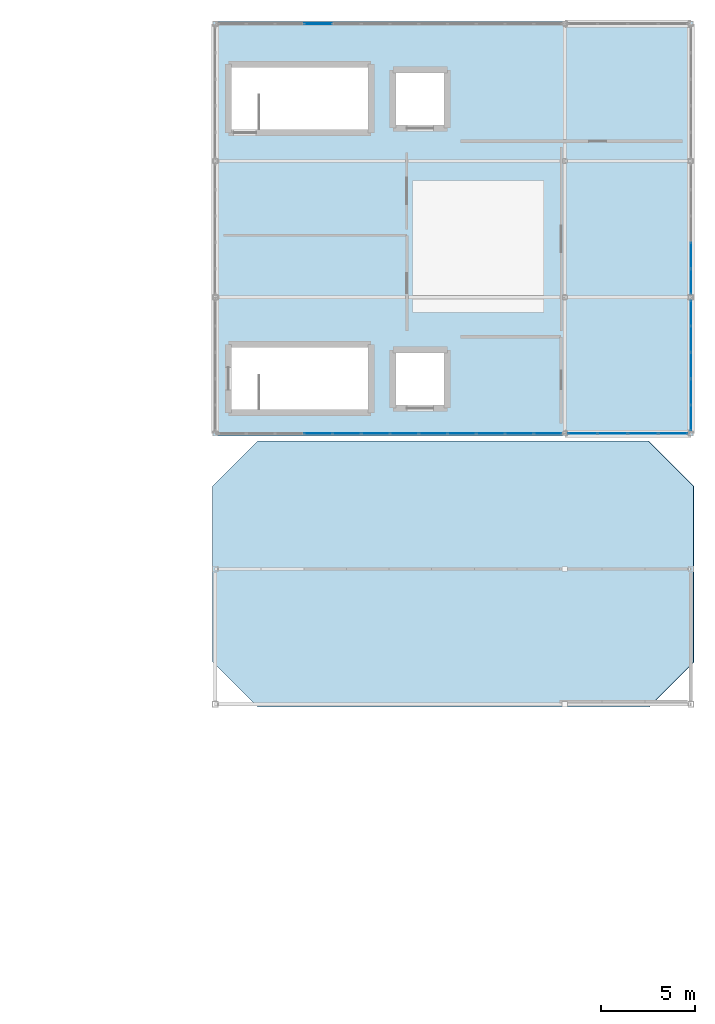
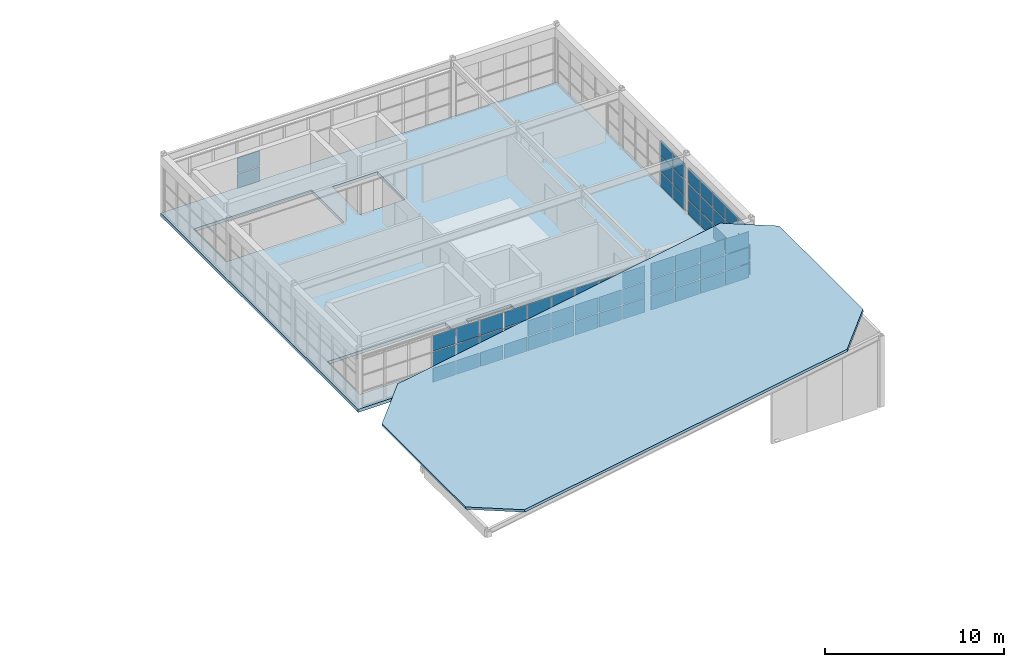
# One storey, part 15 of 19: 62 plates, 2 slabs, 5 elements without a shape of their own.
"""IFC4 building model written with IfcOpenShell, lengths in metres."""

from ifc_helpers import new_model, si_unit, direction, frame, origin, origin_2d, place, context, subcontext, project, spatial, polyline, rectangle, outline, extrude, material, layer, layer_set, type_object, element, aggregate, save


model = new_model("IFC4")

# Units and contexts
model_context = context("Model", 3, precision=1e-05, world=origin(), true_north=direction((0.0, 1.0)))
body_context = subcontext(model_context, "Body", "Model", "MODEL_VIEW")
ifc_project = project(units=[si_unit("LENGTHUNIT", "METRE"), si_unit("AREAUNIT", "SQUARE_METRE"), si_unit("VOLUMEUNIT", "CUBIC_METRE"), si_unit("PLANEANGLEUNIT", "RADIAN"), si_unit("MASSUNIT", "GRAM", prefix="KILO")], contexts=[model_context])

# Site, building, storey
site_placement = place(None, origin())
site = spatial("IfcSite", under=ifc_project, at=site_placement, CompositionType="ELEMENT")
building_placement = place(site_placement, origin())
building = spatial("IfcBuilding", under=site, at=building_placement, Name="Candilejo Ridge Gondola Terminal", CompositionType="ELEMENT")
storey_placement = place(building_placement, frame((0.0, 0.0, 22.800048828125)))
storey = spatial("IfcBuildingStorey", under=building, at=storey_placement, Name="L05", CompositionType="ELEMENT", Elevation=22.800048828125)

# Curtain wall, plates
ifc_material_1 = material(Name="Anodised aluminium AA 6063-T6", Category="aluminium")
ifc_layer_1 = layer(ifc_material_1, 0.169921875)
ifc_layer_set_1 = layer_set([ifc_layer_1], Name="ARC-CW-TOWER-3000-700X329")
curtain_wall_type_1 = type_object("IfcCurtainWallType", Name="ARC-CW-TOWER-3000-700X329", PredefinedType="NOTDEFINED", material=ifc_layer_set_1)
curtain_wall_1_placement = place(storey_placement, origin())
curtain_wall_1 = element("IfcCurtainWall", 1, at=curtain_wall_1_placement, inside=storey, type_object=curtain_wall_type_1, Name="Curtain wall V5 L05-227", PredefinedType="NOTDEFINED")
ifc_material_2 = material(Name="Low-E laminated double glazing 6+12A+6+1.52PVB+6 mm", Category="glass")
ifc_layer_2 = layer(ifc_material_2, 0.028076171875)
ifc_layer_set_2 = layer_set([ifc_layer_2], Name="ARC-CW-GLAZ-PANEL")
plate_type = type_object("IfcPlateType", Name="ARC-CW-GLAZ-PANEL", PredefinedType="CURTAIN_PANEL", material=ifc_layer_set_2)
plate_1_placement = place(storey_placement, frame((175.300048828125, 99.891357421875, 0.06005859375), z_axis=(0.0, 0.0, 1.0), x_axis=(0.0, 1.0, 0.0)))
plate_1 = element("IfcPlate", 2, at=plate_1_placement, type_object=plate_type, Name="CW-70X32 panel 1.1", PredefinedType="CURTAIN_PANEL", context=body_context, shape_type="SweptSolid", body=[
    extrude(rectangle(XDim=1.302490234375, YDim=0.028076171875, at=origin_2d()), origin(), (0.0, 0.0, 1.0), 0.9599609375),
])
plate_2_placement = place(storey_placement, frame((175.300048828125, 99.891357421875, 1.079833984375), z_axis=(0.0, 0.0, 1.0), x_axis=(0.0, 1.0, 0.0)))
plate_2 = element("IfcPlate", 3, at=plate_2_placement, type_object=plate_type, Name="CW-70X32 panel 1.2", PredefinedType="CURTAIN_PANEL", context=body_context, shape_type="SweptSolid", body=[
    extrude(rectangle(XDim=1.302490234375, YDim=0.028076171875, at=origin_2d()), origin(), (0.0, 0.0, 1.0), 1.0400390625),
])
plate_3_placement = place(storey_placement, frame((175.300048828125, 99.891357421875, 2.1796875), z_axis=(0.0, 0.0, 1.0), x_axis=(0.0, 1.0, 0.0)))
plate_3 = element("IfcPlate", 4, at=plate_3_placement, type_object=plate_type, Name="CW-70X32 panel 1.3", PredefinedType="CURTAIN_PANEL", context=body_context, shape_type="SweptSolid", body=[
    extrude(rectangle(XDim=1.302490234375, YDim=0.028076171875, at=origin_2d()), origin(), (0.0, 0.0, 1.0), 1.050048828125),
])
plate_4_placement = place(storey_placement, frame((175.300048828125, 101.27490234375, 0.06005859375), z_axis=(0.0, 0.0, 1.0), x_axis=(0.0, 1.0, 0.0)))
plate_4 = element("IfcPlate", 5, at=plate_4_placement, type_object=plate_type, Name="CW-70X32 panel 2.1", PredefinedType="CURTAIN_PANEL", context=body_context, shape_type="SweptSolid", body=[
    extrude(rectangle(XDim=1.3349609375, YDim=0.028076171875, at=origin_2d()), origin(), (0.0, 0.0, 1.0), 0.9599609375),
])
plate_5_placement = place(storey_placement, frame((175.300048828125, 101.27490234375, 1.079833984375), z_axis=(0.0, 0.0, 1.0), x_axis=(0.0, 1.0, 0.0)))
plate_5 = element("IfcPlate", 6, at=plate_5_placement, type_object=plate_type, Name="CW-70X32 panel 2.2", PredefinedType="CURTAIN_PANEL", context=body_context, shape_type="SweptSolid", body=[
    extrude(rectangle(XDim=1.3349609375, YDim=0.028076171875, at=origin_2d()), origin(), (0.0, 0.0, 1.0), 1.0400390625),
])
plate_6_placement = place(storey_placement, frame((175.300048828125, 101.27490234375, 2.1796875), z_axis=(0.0, 0.0, 1.0), x_axis=(0.0, 1.0, 0.0)))
plate_6 = element("IfcPlate", 7, at=plate_6_placement, type_object=plate_type, Name="CW-70X32 panel 2.3", PredefinedType="CURTAIN_PANEL", context=body_context, shape_type="SweptSolid", body=[
    extrude(rectangle(XDim=1.3349609375, YDim=0.028076171875, at=origin_2d()), origin(), (0.0, 0.0, 1.0), 1.050048828125),
])
plate_7_placement = place(storey_placement, frame((175.300048828125, 102.675048828125, 0.06005859375), z_axis=(0.0, 0.0, 1.0), x_axis=(0.0, 1.0, 0.0)))
plate_7 = element("IfcPlate", 8, at=plate_7_placement, type_object=plate_type, Name="CW-70X32 panel 3.1", PredefinedType="CURTAIN_PANEL", context=body_context, shape_type="SweptSolid", body=[
    extrude(rectangle(XDim=1.3349609375, YDim=0.028076171875, at=origin_2d()), origin(), (0.0, 0.0, 1.0), 0.9599609375),
])
plate_8_placement = place(storey_placement, frame((175.300048828125, 102.675048828125, 1.079833984375), z_axis=(0.0, 0.0, 1.0), x_axis=(0.0, 1.0, 0.0)))
plate_8 = element("IfcPlate", 9, at=plate_8_placement, type_object=plate_type, Name="CW-70X32 panel 3.2", PredefinedType="CURTAIN_PANEL", context=body_context, shape_type="SweptSolid", body=[
    extrude(rectangle(XDim=1.3349609375, YDim=0.028076171875, at=origin_2d()), origin(), (0.0, 0.0, 1.0), 1.0400390625),
])
plate_9_placement = place(storey_placement, frame((175.300048828125, 102.675048828125, 2.1796875), z_axis=(0.0, 0.0, 1.0), x_axis=(0.0, 1.0, 0.0)))
plate_9 = element("IfcPlate", 10, at=plate_9_placement, type_object=plate_type, Name="CW-70X32 panel 3.3", PredefinedType="CURTAIN_PANEL", context=body_context, shape_type="SweptSolid", body=[
    extrude(rectangle(XDim=1.3349609375, YDim=0.028076171875, at=origin_2d()), origin(), (0.0, 0.0, 1.0), 1.050048828125),
])
plate_10_placement = place(storey_placement, frame((175.300048828125, 104.074951171875, 0.06005859375), z_axis=(0.0, 0.0, 1.0), x_axis=(0.0, 1.0, 0.0)))
plate_10 = element("IfcPlate", 11, at=plate_10_placement, type_object=plate_type, Name="CW-70X32 panel 4.1", PredefinedType="CURTAIN_PANEL", context=body_context, shape_type="SweptSolid", body=[
    extrude(rectangle(XDim=1.3349609375, YDim=0.028076171875, at=origin_2d()), origin(), (0.0, 0.0, 1.0), 0.9599609375),
])
plate_11_placement = place(storey_placement, frame((175.300048828125, 104.074951171875, 1.079833984375), z_axis=(0.0, 0.0, 1.0), x_axis=(0.0, 1.0, 0.0)))
plate_11 = element("IfcPlate", 12, at=plate_11_placement, type_object=plate_type, Name="CW-70X32 panel 4.2", PredefinedType="CURTAIN_PANEL", context=body_context, shape_type="SweptSolid", body=[
    extrude(rectangle(XDim=1.3349609375, YDim=0.028076171875, at=origin_2d()), origin(), (0.0, 0.0, 1.0), 1.0400390625),
])
plate_12_placement = place(storey_placement, frame((175.300048828125, 104.074951171875, 2.1796875), z_axis=(0.0, 0.0, 1.0), x_axis=(0.0, 1.0, 0.0)))
plate_12 = element("IfcPlate", 13, at=plate_12_placement, type_object=plate_type, Name="CW-70X32 panel 4.3", PredefinedType="CURTAIN_PANEL", context=body_context, shape_type="SweptSolid", body=[
    extrude(rectangle(XDim=1.3349609375, YDim=0.028076171875, at=origin_2d()), origin(), (0.0, 0.0, 1.0), 1.050048828125),
])
plate_13_placement = place(storey_placement, frame((175.300048828125, 105.458740234375, 0.06005859375), z_axis=(0.0, 0.0, 1.0), x_axis=(0.0, 1.0, 0.0)))
plate_13 = element("IfcPlate", 14, at=plate_13_placement, type_object=plate_type, Name="CW-70X32 panel 5.1", PredefinedType="CURTAIN_PANEL", context=body_context, shape_type="SweptSolid", body=[
    extrude(rectangle(XDim=1.302490234375, YDim=0.028076171875, at=origin_2d()), origin(), (0.0, 0.0, 1.0), 0.9599609375),
])
plate_14_placement = place(storey_placement, frame((175.300048828125, 105.458740234375, 1.079833984375), z_axis=(0.0, 0.0, 1.0), x_axis=(0.0, 1.0, 0.0)))
plate_14 = element("IfcPlate", 15, at=plate_14_placement, type_object=plate_type, Name="CW-70X32 panel 5.2", PredefinedType="CURTAIN_PANEL", context=body_context, shape_type="SweptSolid", body=[
    extrude(rectangle(XDim=1.302490234375, YDim=0.028076171875, at=origin_2d()), origin(), (0.0, 0.0, 1.0), 1.0400390625),
])
plate_15_placement = place(storey_placement, frame((175.300048828125, 105.458740234375, 2.1796875), z_axis=(0.0, 0.0, 1.0), x_axis=(0.0, 1.0, 0.0)))
plate_15 = element("IfcPlate", 16, at=plate_15_placement, type_object=plate_type, Name="CW-70X32 panel 5.3", PredefinedType="CURTAIN_PANEL", context=body_context, shape_type="SweptSolid", body=[
    extrude(rectangle(XDim=1.302490234375, YDim=0.028076171875, at=origin_2d()), origin(), (0.0, 0.0, 1.0), 1.050048828125),
])
aggregate(curtain_wall_1, [plate_1, plate_2, plate_3, plate_4, plate_5, plate_6, plate_7, plate_8, plate_9, plate_10, plate_11, plate_12, plate_13, plate_14, plate_15])

curtain_wall_2_placement = place(storey_placement, origin())
curtain_wall_2 = element("IfcCurtainWall", 17, at=curtain_wall_2_placement, inside=storey, type_object=curtain_wall_type_1, Name="Curtain wall V5 L05-229", PredefinedType="NOTDEFINED")
plate_16_placement = place(storey_placement, frame((175.300048828125, 107.141357421875, 0.06005859375), z_axis=(0.0, 0.0, 1.0), x_axis=(0.0, 1.0, 0.0)))
plate_16 = element("IfcPlate", 18, at=plate_16_placement, type_object=plate_type, Name="CW-70X32 panel 1.1", PredefinedType="CURTAIN_PANEL", context=body_context, shape_type="SweptSolid", body=[
    extrude(rectangle(XDim=1.302490234375, YDim=0.028076171875, at=origin_2d()), origin(), (0.0, 0.0, 1.0), 0.9599609375),
])
plate_17_placement = place(storey_placement, frame((175.300048828125, 107.141357421875, 1.079833984375), z_axis=(0.0, 0.0, 1.0), x_axis=(0.0, 1.0, 0.0)))
plate_17 = element("IfcPlate", 19, at=plate_17_placement, type_object=plate_type, Name="CW-70X32 panel 1.2", PredefinedType="CURTAIN_PANEL", context=body_context, shape_type="SweptSolid", body=[
    extrude(rectangle(XDim=1.302490234375, YDim=0.028076171875, at=origin_2d()), origin(), (0.0, 0.0, 1.0), 1.0400390625),
])
plate_18_placement = place(storey_placement, frame((175.300048828125, 107.141357421875, 2.1796875), z_axis=(0.0, 0.0, 1.0), x_axis=(0.0, 1.0, 0.0)))
plate_18 = element("IfcPlate", 20, at=plate_18_placement, type_object=plate_type, Name="CW-70X32 panel 1.3", PredefinedType="CURTAIN_PANEL", context=body_context, shape_type="SweptSolid", body=[
    extrude(rectangle(XDim=1.302490234375, YDim=0.028076171875, at=origin_2d()), origin(), (0.0, 0.0, 1.0), 1.050048828125),
])
plate_19_placement = place(storey_placement, frame((175.300048828125, 108.52490234375, 0.06005859375), z_axis=(0.0, 0.0, 1.0), x_axis=(0.0, 1.0, 0.0)))
plate_19 = element("IfcPlate", 21, at=plate_19_placement, type_object=plate_type, Name="CW-70X32 panel 2.1", PredefinedType="CURTAIN_PANEL", context=body_context, shape_type="SweptSolid", body=[
    extrude(rectangle(XDim=1.3349609375, YDim=0.028076171875, at=origin_2d()), origin(), (0.0, 0.0, 1.0), 0.9599609375),
])
plate_20_placement = place(storey_placement, frame((175.300048828125, 108.52490234375, 1.079833984375), z_axis=(0.0, 0.0, 1.0), x_axis=(0.0, 1.0, 0.0)))
plate_20 = element("IfcPlate", 22, at=plate_20_placement, type_object=plate_type, Name="CW-70X32 panel 2.2", PredefinedType="CURTAIN_PANEL", context=body_context, shape_type="SweptSolid", body=[
    extrude(rectangle(XDim=1.3349609375, YDim=0.028076171875, at=origin_2d()), origin(), (0.0, 0.0, 1.0), 1.0400390625),
])
plate_21_placement = place(storey_placement, frame((175.300048828125, 108.52490234375, 2.1796875), z_axis=(0.0, 0.0, 1.0), x_axis=(0.0, 1.0, 0.0)))
plate_21 = element("IfcPlate", 23, at=plate_21_placement, type_object=plate_type, Name="CW-70X32 panel 2.3", PredefinedType="CURTAIN_PANEL", context=body_context, shape_type="SweptSolid", body=[
    extrude(rectangle(XDim=1.3349609375, YDim=0.028076171875, at=origin_2d()), origin(), (0.0, 0.0, 1.0), 1.050048828125),
])
aggregate(curtain_wall_2, [plate_16, plate_17, plate_18, plate_19, plate_20, plate_21])

ifc_material_3 = material(Name="Anodised aluminium AA 6063-T6", Category="aluminium")
ifc_layer_3 = layer(ifc_material_3, 0.169921875)
ifc_layer_set_3 = layer_set([ifc_layer_3], Name="ARC-CW-TOWER-3000-1835X329")
curtain_wall_type_2 = type_object("IfcCurtainWallType", Name="ARC-CW-TOWER-3000-1835X329", PredefinedType="NOTDEFINED", material=ifc_layer_set_3)
curtain_wall_3_placement = place(storey_placement, origin())
curtain_wall_3 = element("IfcCurtainWall", 24, at=curtain_wall_3_placement, inside=storey, type_object=curtain_wall_type_2, Name="Curtain wall V5 L05-232", PredefinedType="NOTDEFINED")
plate_22_placement = place(storey_placement, frame((155.47705078125, 99.050048828125, 0.06005859375), z_axis=(0.0, 0.0, 1.0), x_axis=(1.0, 0.0, 0.0)))
plate_22 = element("IfcPlate", 25, at=plate_22_placement, type_object=plate_type, Name="CW-183X32 panel 4.1", PredefinedType="CURTAIN_PANEL", context=body_context, shape_type="SweptSolid", body=[
    extrude(rectangle(XDim=1.464111328125, YDim=0.028076171875, at=origin_2d()), origin(), (0.0, 0.0, 1.0), 0.9599609375),
])
plate_23_placement = place(storey_placement, frame((155.47705078125, 99.050048828125, 1.079833984375), z_axis=(0.0, 0.0, 1.0), x_axis=(1.0, 0.0, 0.0)))
plate_23 = element("IfcPlate", 26, at=plate_23_placement, type_object=plate_type, Name="CW-183X32 panel 4.2", PredefinedType="CURTAIN_PANEL", context=body_context, shape_type="SweptSolid", body=[
    extrude(rectangle(XDim=1.464111328125, YDim=0.028076171875, at=origin_2d()), origin(), (0.0, 0.0, 1.0), 1.0400390625),
])
plate_24_placement = place(storey_placement, frame((155.47705078125, 99.050048828125, 2.1796875), z_axis=(0.0, 0.0, 1.0), x_axis=(1.0, 0.0, 0.0)))
plate_24 = element("IfcPlate", 27, at=plate_24_placement, type_object=plate_type, Name="CW-183X32 panel 4.3", PredefinedType="CURTAIN_PANEL", context=body_context, shape_type="SweptSolid", body=[
    extrude(rectangle(XDim=1.464111328125, YDim=0.028076171875, at=origin_2d()), origin(), (0.0, 0.0, 1.0), 1.050048828125),
])
plate_25_placement = place(storey_placement, frame((157.00634765625, 99.050048828125, 0.06005859375), z_axis=(0.0, 0.0, 1.0), x_axis=(1.0, 0.0, 0.0)))
plate_25 = element("IfcPlate", 28, at=plate_25_placement, type_object=plate_type, Name="CW-183X32 panel 5.1", PredefinedType="CURTAIN_PANEL", context=body_context, shape_type="SweptSolid", body=[
    extrude(rectangle(XDim=1.464111328125, YDim=0.028076171875, at=origin_2d()), origin(), (0.0, 0.0, 1.0), 0.9599609375),
])
plate_26_placement = place(storey_placement, frame((157.00634765625, 99.050048828125, 1.079833984375), z_axis=(0.0, 0.0, 1.0), x_axis=(1.0, 0.0, 0.0)))
plate_26 = element("IfcPlate", 29, at=plate_26_placement, type_object=plate_type, Name="CW-183X32 panel 5.2", PredefinedType="CURTAIN_PANEL", context=body_context, shape_type="SweptSolid", body=[
    extrude(rectangle(XDim=1.464111328125, YDim=0.028076171875, at=origin_2d()), origin(), (0.0, 0.0, 1.0), 1.0400390625),
])
plate_27_placement = place(storey_placement, frame((157.00634765625, 99.050048828125, 2.1796875), z_axis=(0.0, 0.0, 1.0), x_axis=(1.0, 0.0, 0.0)))
plate_27 = element("IfcPlate", 30, at=plate_27_placement, type_object=plate_type, Name="CW-183X32 panel 5.3", PredefinedType="CURTAIN_PANEL", context=body_context, shape_type="SweptSolid", body=[
    extrude(rectangle(XDim=1.464111328125, YDim=0.028076171875, at=origin_2d()), origin(), (0.0, 0.0, 1.0), 1.050048828125),
])
plate_28_placement = place(storey_placement, frame((158.535400390625, 99.050048828125, 0.06005859375), z_axis=(0.0, 0.0, 1.0), x_axis=(1.0, 0.0, 0.0)))
plate_28 = element("IfcPlate", 31, at=plate_28_placement, type_object=plate_type, Name="CW-183X32 panel 6.1", PredefinedType="CURTAIN_PANEL", context=body_context, shape_type="SweptSolid", body=[
    extrude(rectangle(XDim=1.464111328125, YDim=0.028076171875, at=origin_2d()), origin(), (0.0, 0.0, 1.0), 0.9599609375),
])
plate_29_placement = place(storey_placement, frame((158.535400390625, 99.050048828125, 1.079833984375), z_axis=(0.0, 0.0, 1.0), x_axis=(1.0, 0.0, 0.0)))
plate_29 = element("IfcPlate", 32, at=plate_29_placement, type_object=plate_type, Name="CW-183X32 panel 6.2", PredefinedType="CURTAIN_PANEL", context=body_context, shape_type="SweptSolid", body=[
    extrude(rectangle(XDim=1.464111328125, YDim=0.028076171875, at=origin_2d()), origin(), (0.0, 0.0, 1.0), 1.0400390625),
])
plate_30_placement = place(storey_placement, frame((158.535400390625, 99.050048828125, 2.1796875), z_axis=(0.0, 0.0, 1.0), x_axis=(1.0, 0.0, 0.0)))
plate_30 = element("IfcPlate", 33, at=plate_30_placement, type_object=plate_type, Name="CW-183X32 panel 6.3", PredefinedType="CURTAIN_PANEL", context=body_context, shape_type="SweptSolid", body=[
    extrude(rectangle(XDim=1.464111328125, YDim=0.028076171875, at=origin_2d()), origin(), (0.0, 0.0, 1.0), 1.050048828125),
])
plate_31_placement = place(storey_placement, frame((160.064697265625, 99.050048828125, 0.06005859375), z_axis=(0.0, 0.0, 1.0), x_axis=(1.0, 0.0, 0.0)))
plate_31 = element("IfcPlate", 34, at=plate_31_placement, type_object=plate_type, Name="CW-183X32 panel 7.1", PredefinedType="CURTAIN_PANEL", context=body_context, shape_type="SweptSolid", body=[
    extrude(rectangle(XDim=1.464111328125, YDim=0.028076171875, at=origin_2d()), origin(), (0.0, 0.0, 1.0), 0.9599609375),
])
plate_32_placement = place(storey_placement, frame((160.064697265625, 99.050048828125, 1.079833984375), z_axis=(0.0, 0.0, 1.0), x_axis=(1.0, 0.0, 0.0)))
plate_32 = element("IfcPlate", 35, at=plate_32_placement, type_object=plate_type, Name="CW-183X32 panel 7.2", PredefinedType="CURTAIN_PANEL", context=body_context, shape_type="SweptSolid", body=[
    extrude(rectangle(XDim=1.464111328125, YDim=0.028076171875, at=origin_2d()), origin(), (0.0, 0.0, 1.0), 1.0400390625),
])
plate_33_placement = place(storey_placement, frame((160.064697265625, 99.050048828125, 2.1796875), z_axis=(0.0, 0.0, 1.0), x_axis=(1.0, 0.0, 0.0)))
plate_33 = element("IfcPlate", 36, at=plate_33_placement, type_object=plate_type, Name="CW-183X32 panel 7.3", PredefinedType="CURTAIN_PANEL", context=body_context, shape_type="SweptSolid", body=[
    extrude(rectangle(XDim=1.464111328125, YDim=0.028076171875, at=origin_2d()), origin(), (0.0, 0.0, 1.0), 1.050048828125),
])
plate_34_placement = place(storey_placement, frame((161.59375, 99.050048828125, 0.06005859375), z_axis=(0.0, 0.0, 1.0), x_axis=(1.0, 0.0, 0.0)))
plate_34 = element("IfcPlate", 37, at=plate_34_placement, type_object=plate_type, Name="CW-183X32 panel 8.1", PredefinedType="CURTAIN_PANEL", context=body_context, shape_type="SweptSolid", body=[
    extrude(rectangle(XDim=1.464111328125, YDim=0.028076171875, at=origin_2d()), origin(), (0.0, 0.0, 1.0), 0.9599609375),
])
plate_35_placement = place(storey_placement, frame((161.59375, 99.050048828125, 1.079833984375), z_axis=(0.0, 0.0, 1.0), x_axis=(1.0, 0.0, 0.0)))
plate_35 = element("IfcPlate", 38, at=plate_35_placement, type_object=plate_type, Name="CW-183X32 panel 8.2", PredefinedType="CURTAIN_PANEL", context=body_context, shape_type="SweptSolid", body=[
    extrude(rectangle(XDim=1.464111328125, YDim=0.028076171875, at=origin_2d()), origin(), (0.0, 0.0, 1.0), 1.0400390625),
])
plate_36_placement = place(storey_placement, frame((161.59375, 99.050048828125, 2.1796875), z_axis=(0.0, 0.0, 1.0), x_axis=(1.0, 0.0, 0.0)))
plate_36 = element("IfcPlate", 39, at=plate_36_placement, type_object=plate_type, Name="CW-183X32 panel 8.3", PredefinedType="CURTAIN_PANEL", context=body_context, shape_type="SweptSolid", body=[
    extrude(rectangle(XDim=1.464111328125, YDim=0.028076171875, at=origin_2d()), origin(), (0.0, 0.0, 1.0), 1.050048828125),
])
plate_37_placement = place(storey_placement, frame((163.122802734375, 99.050048828125, 0.06005859375), z_axis=(0.0, 0.0, 1.0), x_axis=(1.0, 0.0, 0.0)))
plate_37 = element("IfcPlate", 40, at=plate_37_placement, type_object=plate_type, Name="CW-183X32 panel 9.1", PredefinedType="CURTAIN_PANEL", context=body_context, shape_type="SweptSolid", body=[
    extrude(rectangle(XDim=1.464111328125, YDim=0.028076171875, at=origin_2d()), origin(), (0.0, 0.0, 1.0), 0.9599609375),
])
plate_38_placement = place(storey_placement, frame((163.122802734375, 99.050048828125, 1.079833984375), z_axis=(0.0, 0.0, 1.0), x_axis=(1.0, 0.0, 0.0)))
plate_38 = element("IfcPlate", 41, at=plate_38_placement, type_object=plate_type, Name="CW-183X32 panel 9.2", PredefinedType="CURTAIN_PANEL", context=body_context, shape_type="SweptSolid", body=[
    extrude(rectangle(XDim=1.464111328125, YDim=0.028076171875, at=origin_2d()), origin(), (0.0, 0.0, 1.0), 1.0400390625),
])
plate_39_placement = place(storey_placement, frame((163.122802734375, 99.050048828125, 2.1796875), z_axis=(0.0, 0.0, 1.0), x_axis=(1.0, 0.0, 0.0)))
plate_39 = element("IfcPlate", 42, at=plate_39_placement, type_object=plate_type, Name="CW-183X32 panel 9.3", PredefinedType="CURTAIN_PANEL", context=body_context, shape_type="SweptSolid", body=[
    extrude(rectangle(XDim=1.464111328125, YDim=0.028076171875, at=origin_2d()), origin(), (0.0, 0.0, 1.0), 1.050048828125),
])
plate_40_placement = place(storey_placement, frame((164.652099609375, 99.050048828125, 0.06005859375), z_axis=(0.0, 0.0, 1.0), x_axis=(1.0, 0.0, 0.0)))
plate_40 = element("IfcPlate", 43, at=plate_40_placement, type_object=plate_type, Name="CW-183X32 panel 10.1", PredefinedType="CURTAIN_PANEL", context=body_context, shape_type="SweptSolid", body=[
    extrude(rectangle(XDim=1.464111328125, YDim=0.028076171875, at=origin_2d()), origin(), (0.0, 0.0, 1.0), 0.9599609375),
])
plate_41_placement = place(storey_placement, frame((164.652099609375, 99.050048828125, 1.079833984375), z_axis=(0.0, 0.0, 1.0), x_axis=(1.0, 0.0, 0.0)))
plate_41 = element("IfcPlate", 44, at=plate_41_placement, type_object=plate_type, Name="CW-183X32 panel 10.2", PredefinedType="CURTAIN_PANEL", context=body_context, shape_type="SweptSolid", body=[
    extrude(rectangle(XDim=1.464111328125, YDim=0.028076171875, at=origin_2d()), origin(), (0.0, 0.0, 1.0), 1.0400390625),
])
plate_42_placement = place(storey_placement, frame((164.652099609375, 99.050048828125, 2.1796875), z_axis=(0.0, 0.0, 1.0), x_axis=(1.0, 0.0, 0.0)))
plate_42 = element("IfcPlate", 45, at=plate_42_placement, type_object=plate_type, Name="CW-183X32 panel 10.3", PredefinedType="CURTAIN_PANEL", context=body_context, shape_type="SweptSolid", body=[
    extrude(rectangle(XDim=1.464111328125, YDim=0.028076171875, at=origin_2d()), origin(), (0.0, 0.0, 1.0), 1.050048828125),
])
plate_43_placement = place(storey_placement, frame((166.18115234375, 99.050048828125, 0.06005859375), z_axis=(0.0, 0.0, 1.0), x_axis=(1.0, 0.0, 0.0)))
plate_43 = element("IfcPlate", 46, at=plate_43_placement, type_object=plate_type, Name="CW-183X32 panel 11.1", PredefinedType="CURTAIN_PANEL", context=body_context, shape_type="SweptSolid", body=[
    extrude(rectangle(XDim=1.464111328125, YDim=0.028076171875, at=origin_2d()), origin(), (0.0, 0.0, 1.0), 0.9599609375),
])
plate_44_placement = place(storey_placement, frame((166.18115234375, 99.050048828125, 1.079833984375), z_axis=(0.0, 0.0, 1.0), x_axis=(1.0, 0.0, 0.0)))
plate_44 = element("IfcPlate", 47, at=plate_44_placement, type_object=plate_type, Name="CW-183X32 panel 11.2", PredefinedType="CURTAIN_PANEL", context=body_context, shape_type="SweptSolid", body=[
    extrude(rectangle(XDim=1.464111328125, YDim=0.028076171875, at=origin_2d()), origin(), (0.0, 0.0, 1.0), 1.0400390625),
])
plate_45_placement = place(storey_placement, frame((166.18115234375, 99.050048828125, 2.1796875), z_axis=(0.0, 0.0, 1.0), x_axis=(1.0, 0.0, 0.0)))
plate_45 = element("IfcPlate", 48, at=plate_45_placement, type_object=plate_type, Name="CW-183X32 panel 11.3", PredefinedType="CURTAIN_PANEL", context=body_context, shape_type="SweptSolid", body=[
    extrude(rectangle(XDim=1.464111328125, YDim=0.028076171875, at=origin_2d()), origin(), (0.0, 0.0, 1.0), 1.050048828125),
])
plate_46_placement = place(storey_placement, frame((167.694091796875, 99.050048828125, 0.06005859375), z_axis=(0.0, 0.0, 1.0), x_axis=(1.0, 0.0, 0.0)))
plate_46 = element("IfcPlate", 49, at=plate_46_placement, type_object=plate_type, Name="CW-183X32 panel 12.1", PredefinedType="CURTAIN_PANEL", context=body_context, shape_type="SweptSolid", body=[
    extrude(rectangle(XDim=1.431640625, YDim=0.028076171875, at=origin_2d()), origin(), (0.0, 0.0, 1.0), 0.9599609375),
])
plate_47_placement = place(storey_placement, frame((167.694091796875, 99.050048828125, 1.079833984375), z_axis=(0.0, 0.0, 1.0), x_axis=(1.0, 0.0, 0.0)))
plate_47 = element("IfcPlate", 50, at=plate_47_placement, type_object=plate_type, Name="CW-183X32 panel 12.2", PredefinedType="CURTAIN_PANEL", context=body_context, shape_type="SweptSolid", body=[
    extrude(rectangle(XDim=1.431640625, YDim=0.028076171875, at=origin_2d()), origin(), (0.0, 0.0, 1.0), 1.0400390625),
])
plate_48_placement = place(storey_placement, frame((167.694091796875, 99.050048828125, 2.1796875), z_axis=(0.0, 0.0, 1.0), x_axis=(1.0, 0.0, 0.0)))
plate_48 = element("IfcPlate", 51, at=plate_48_placement, type_object=plate_type, Name="CW-183X32 panel 12.3", PredefinedType="CURTAIN_PANEL", context=body_context, shape_type="SweptSolid", body=[
    extrude(rectangle(XDim=1.431640625, YDim=0.028076171875, at=origin_2d()), origin(), (0.0, 0.0, 1.0), 1.050048828125),
])
aggregate(curtain_wall_3, [plate_22, plate_23, plate_24, plate_25, plate_26, plate_27, plate_28, plate_29, plate_30, plate_31, plate_32, plate_33, plate_34, plate_35, plate_36, plate_37, plate_38, plate_39, plate_40, plate_41, plate_42, plate_43, plate_44, plate_45, plate_46, plate_47, plate_48])

curtain_wall_4_placement = place(storey_placement, origin())
curtain_wall_4 = element("IfcCurtainWall", 52, at=curtain_wall_4_placement, inside=storey, type_object=curtain_wall_type_2, Name="Curtain wall V5 L05-233", PredefinedType="NOTDEFINED")
plate_49_placement = place(storey_placement, frame((155.47705078125, 120.85009765625, 0.06005859375), z_axis=(0.0, 0.0, 1.0), x_axis=(1.0, 0.0, 0.0)))
plate_49 = element("IfcPlate", 53, at=plate_49_placement, type_object=plate_type, Name="CW-183X32 panel 4.1", PredefinedType="CURTAIN_PANEL", context=body_context, shape_type="SweptSolid", body=[
    extrude(rectangle(XDim=1.464111328125, YDim=0.028076171875, at=origin_2d()), origin(), (0.0, 0.0, 1.0), 0.9599609375),
])
plate_50_placement = place(storey_placement, frame((155.47705078125, 120.85009765625, 1.079833984375), z_axis=(0.0, 0.0, 1.0), x_axis=(1.0, 0.0, 0.0)))
plate_50 = element("IfcPlate", 54, at=plate_50_placement, type_object=plate_type, Name="CW-183X32 panel 4.2", PredefinedType="CURTAIN_PANEL", context=body_context, shape_type="SweptSolid", body=[
    extrude(rectangle(XDim=1.464111328125, YDim=0.028076171875, at=origin_2d()), origin(), (0.0, 0.0, 1.0), 1.0400390625),
])
aggregate(curtain_wall_4, [plate_49, plate_50])

ifc_material_4 = material(Name="Anodised aluminium AA 6063-T6", Category="aluminium")
ifc_layer_4 = layer(ifc_material_4, 0.169921875)
ifc_layer_set_4 = layer_set([ifc_layer_4], Name="ARC-CW-TOWER-3000-645X329")
curtain_wall_type_3 = type_object("IfcCurtainWallType", Name="ARC-CW-TOWER-3000-645X329", PredefinedType="NOTDEFINED", material=ifc_layer_set_4)
curtain_wall_5_placement = place(storey_placement, origin())
curtain_wall_5 = element("IfcCurtainWall", 55, at=curtain_wall_5_placement, inside=storey, type_object=curtain_wall_type_3, Name="Curtain wall V5 L05-234", PredefinedType="NOTDEFINED")
plate_51_placement = place(storey_placement, frame((169.547607421875, 99.050048828125, 0.06005859375), z_axis=(0.0, 0.0, 1.0), x_axis=(1.0, 0.0, 0.0)))
plate_51 = element("IfcPlate", 56, at=plate_51_placement, type_object=plate_type, Name="CW-64X32 panel 1.1", PredefinedType="CURTAIN_PANEL", context=body_context, shape_type="SweptSolid", body=[
    extrude(rectangle(XDim=1.514892578125, YDim=0.028076171875, at=origin_2d()), origin(), (0.0, 0.0, 1.0), 0.9599609375),
])
plate_52_placement = place(storey_placement, frame((169.547607421875, 99.050048828125, 1.079833984375), z_axis=(0.0, 0.0, 1.0), x_axis=(1.0, 0.0, 0.0)))
plate_52 = element("IfcPlate", 57, at=plate_52_placement, type_object=plate_type, Name="CW-64X32 panel 1.2", PredefinedType="CURTAIN_PANEL", context=body_context, shape_type="SweptSolid", body=[
    extrude(rectangle(XDim=1.514892578125, YDim=0.028076171875, at=origin_2d()), origin(), (0.0, 0.0, 1.0), 1.0400390625),
])
plate_53_placement = place(storey_placement, frame((169.547607421875, 99.050048828125, 2.1796875), z_axis=(0.0, 0.0, 1.0), x_axis=(1.0, 0.0, 0.0)))
plate_53 = element("IfcPlate", 58, at=plate_53_placement, type_object=plate_type, Name="CW-64X32 panel 1.3", PredefinedType="CURTAIN_PANEL", context=body_context, shape_type="SweptSolid", body=[
    extrude(rectangle(XDim=1.514892578125, YDim=0.028076171875, at=origin_2d()), origin(), (0.0, 0.0, 1.0), 1.050048828125),
])
plate_54_placement = place(storey_placement, frame((171.143798828125, 99.050048828125, 0.06005859375), z_axis=(0.0, 0.0, 1.0), x_axis=(1.0, 0.0, 0.0)))
plate_54 = element("IfcPlate", 59, at=plate_54_placement, type_object=plate_type, Name="CW-64X32 panel 2.1", PredefinedType="CURTAIN_PANEL", context=body_context, shape_type="SweptSolid", body=[
    extrude(rectangle(XDim=1.547607421875, YDim=0.028076171875, at=origin_2d()), origin(), (0.0, 0.0, 1.0), 0.9599609375),
])
plate_55_placement = place(storey_placement, frame((171.143798828125, 99.050048828125, 1.079833984375), z_axis=(0.0, 0.0, 1.0), x_axis=(1.0, 0.0, 0.0)))
plate_55 = element("IfcPlate", 60, at=plate_55_placement, type_object=plate_type, Name="CW-64X32 panel 2.2", PredefinedType="CURTAIN_PANEL", context=body_context, shape_type="SweptSolid", body=[
    extrude(rectangle(XDim=1.547607421875, YDim=0.028076171875, at=origin_2d()), origin(), (0.0, 0.0, 1.0), 1.0400390625),
])
plate_56_placement = place(storey_placement, frame((171.143798828125, 99.050048828125, 2.1796875), z_axis=(0.0, 0.0, 1.0), x_axis=(1.0, 0.0, 0.0)))
plate_56 = element("IfcPlate", 61, at=plate_56_placement, type_object=plate_type, Name="CW-64X32 panel 2.3", PredefinedType="CURTAIN_PANEL", context=body_context, shape_type="SweptSolid", body=[
    extrude(rectangle(XDim=1.547607421875, YDim=0.028076171875, at=origin_2d()), origin(), (0.0, 0.0, 1.0), 1.050048828125),
])
plate_57_placement = place(storey_placement, frame((172.75634765625, 99.050048828125, 0.06005859375), z_axis=(0.0, 0.0, 1.0), x_axis=(1.0, 0.0, 0.0)))
plate_57 = element("IfcPlate", 62, at=plate_57_placement, type_object=plate_type, Name="CW-64X32 panel 3.1", PredefinedType="CURTAIN_PANEL", context=body_context, shape_type="SweptSolid", body=[
    extrude(rectangle(XDim=1.547607421875, YDim=0.028076171875, at=origin_2d()), origin(), (0.0, 0.0, 1.0), 0.9599609375),
])
plate_58_placement = place(storey_placement, frame((172.75634765625, 99.050048828125, 1.079833984375), z_axis=(0.0, 0.0, 1.0), x_axis=(1.0, 0.0, 0.0)))
plate_58 = element("IfcPlate", 63, at=plate_58_placement, type_object=plate_type, Name="CW-64X32 panel 3.2", PredefinedType="CURTAIN_PANEL", context=body_context, shape_type="SweptSolid", body=[
    extrude(rectangle(XDim=1.547607421875, YDim=0.028076171875, at=origin_2d()), origin(), (0.0, 0.0, 1.0), 1.0400390625),
])
plate_59_placement = place(storey_placement, frame((172.75634765625, 99.050048828125, 2.1796875), z_axis=(0.0, 0.0, 1.0), x_axis=(1.0, 0.0, 0.0)))
plate_59 = element("IfcPlate", 64, at=plate_59_placement, type_object=plate_type, Name="CW-64X32 panel 3.3", PredefinedType="CURTAIN_PANEL", context=body_context, shape_type="SweptSolid", body=[
    extrude(rectangle(XDim=1.547607421875, YDim=0.028076171875, at=origin_2d()), origin(), (0.0, 0.0, 1.0), 1.050048828125),
])
plate_60_placement = place(storey_placement, frame((174.3525390625, 99.050048828125, 0.06005859375), z_axis=(0.0, 0.0, 1.0), x_axis=(1.0, 0.0, 0.0)))
plate_60 = element("IfcPlate", 65, at=plate_60_placement, type_object=plate_type, Name="CW-64X32 panel 4.1", PredefinedType="CURTAIN_PANEL", context=body_context, shape_type="SweptSolid", body=[
    extrude(rectangle(XDim=1.514892578125, YDim=0.028076171875, at=origin_2d()), origin(), (0.0, 0.0, 1.0), 0.9599609375),
])
plate_61_placement = place(storey_placement, frame((174.3525390625, 99.050048828125, 1.079833984375), z_axis=(0.0, 0.0, 1.0), x_axis=(1.0, 0.0, 0.0)))
plate_61 = element("IfcPlate", 66, at=plate_61_placement, type_object=plate_type, Name="CW-64X32 panel 4.2", PredefinedType="CURTAIN_PANEL", context=body_context, shape_type="SweptSolid", body=[
    extrude(rectangle(XDim=1.514892578125, YDim=0.028076171875, at=origin_2d()), origin(), (0.0, 0.0, 1.0), 1.0400390625),
])
plate_62_placement = place(storey_placement, frame((174.3525390625, 99.050048828125, 2.1796875), z_axis=(0.0, 0.0, 1.0), x_axis=(1.0, 0.0, 0.0)))
plate_62 = element("IfcPlate", 67, at=plate_62_placement, type_object=plate_type, Name="CW-64X32 panel 4.3", PredefinedType="CURTAIN_PANEL", context=body_context, shape_type="SweptSolid", body=[
    extrude(rectangle(XDim=1.514892578125, YDim=0.028076171875, at=origin_2d()), origin(), (0.0, 0.0, 1.0), 1.050048828125),
])
aggregate(curtain_wall_5, [plate_51, plate_52, plate_53, plate_54, plate_55, plate_56, plate_57, plate_58, plate_59, plate_60, plate_61, plate_62])

# Slabs
ifc_material_5 = material(Name="Concrete f'c 35 MPa (C35/45)", Category="concrete")
ifc_layer_5 = layer(ifc_material_5, 0.2099609375)
ifc_layer_set_5 = layer_set([ifc_layer_5], Name="STR-FLOOR-SLAB-210")
slab_type_1 = type_object("IfcSlabType", Name="STR-FLOOR-SLAB-210", PredefinedType="FLOOR", material=ifc_layer_set_5)
slab_1_placement = place(storey_placement, frame((0.0, 0.0, -0.2099609375)))
element("IfcSlab", 68, at=slab_1_placement, inside=storey, type_object=slab_type_1, Name="Slab SLB-V5-L05-N", PredefinedType="FLOOR", context=body_context, shape_type="SweptSolid", body=[
    extrude(outline(polyline([(149.875, 98.925048828125), (175.425048828125, 98.925048828125), (175.425048828125, 120.97509765625), (149.875, 120.97509765625), (149.875, 98.925048828125)]), holes=[polyline([(150.699951171875, 100.14990234375), (158.300048828125, 100.14990234375), (158.300048828125, 103.800048828125), (150.699951171875, 103.800048828125), (150.699951171875, 100.14990234375)]), polyline([(159.449951171875, 100.39990234375), (162.35009765625, 100.39990234375), (162.35009765625, 103.5), (159.449951171875, 103.5), (159.449951171875, 100.39990234375)]), polyline([(150.699951171875, 115.050048828125), (158.300048828125, 115.050048828125), (158.300048828125, 118.699951171875), (150.699951171875, 118.699951171875), (150.699951171875, 115.050048828125)]), polyline([(159.449951171875, 115.300048828125), (162.35009765625, 115.300048828125), (162.35009765625, 118.39990234375), (159.449951171875, 118.39990234375), (159.449951171875, 115.300048828125)])]), origin(), (0.0, 0.0, 1.0), 0.2099609375),
])
ifc_material_6 = material(Name="Concrete f'c 35 MPa (C35/45)", Category="concrete")
ifc_layer_6 = layer(ifc_material_6, 0.179931640625)
ifc_layer_set_6 = layer_set([ifc_layer_6], Name="STR-ROOF-SLAB-180")
slab_type_2 = type_object("IfcSlabType", Name="STR-ROOF-SLAB-180", PredefinedType="ROOF", material=ifc_layer_set_6)
slab_2_placement = place(storey_placement, frame((152.257568359375, 84.5, 1.074462890625), z_axis=(-0.173655707757, 0.0, 0.984806425225), x_axis=(0.984806425225, 0.0, 0.173655707757)))
element("IfcSlab", 69, at=slab_2_placement, inside=storey, type_object=slab_type_2, Name="Sloped standing-seam roof deck RF-V5-MID2", PredefinedType="ROOF", context=body_context, shape_type="SweptSolid", body=[
    extrude(outline(polyline([(0.0, 0.0), (21.10556994539405, 0.0), (23.55018992462452, 2.407470703125), (23.55018992462452, 11.742431640625), (21.10556994539405, 14.14990234375), (0.0, 14.14990234375), (-2.444619979230469, 11.742431640625), (-2.444619979230469, 2.407470703125), (0.0, 0.0)])), origin(), (0.0, 0.0, -1.0), 0.179931640625),
])

save(model, "model.ifc")
